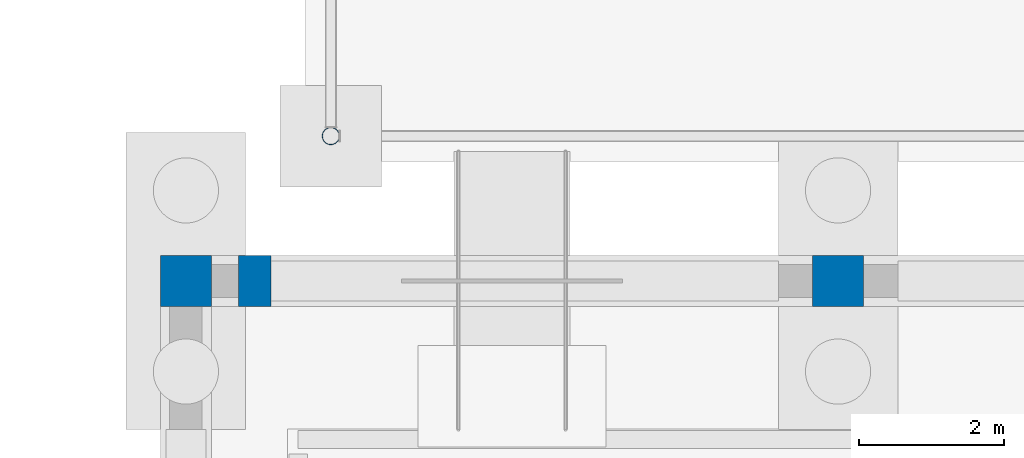
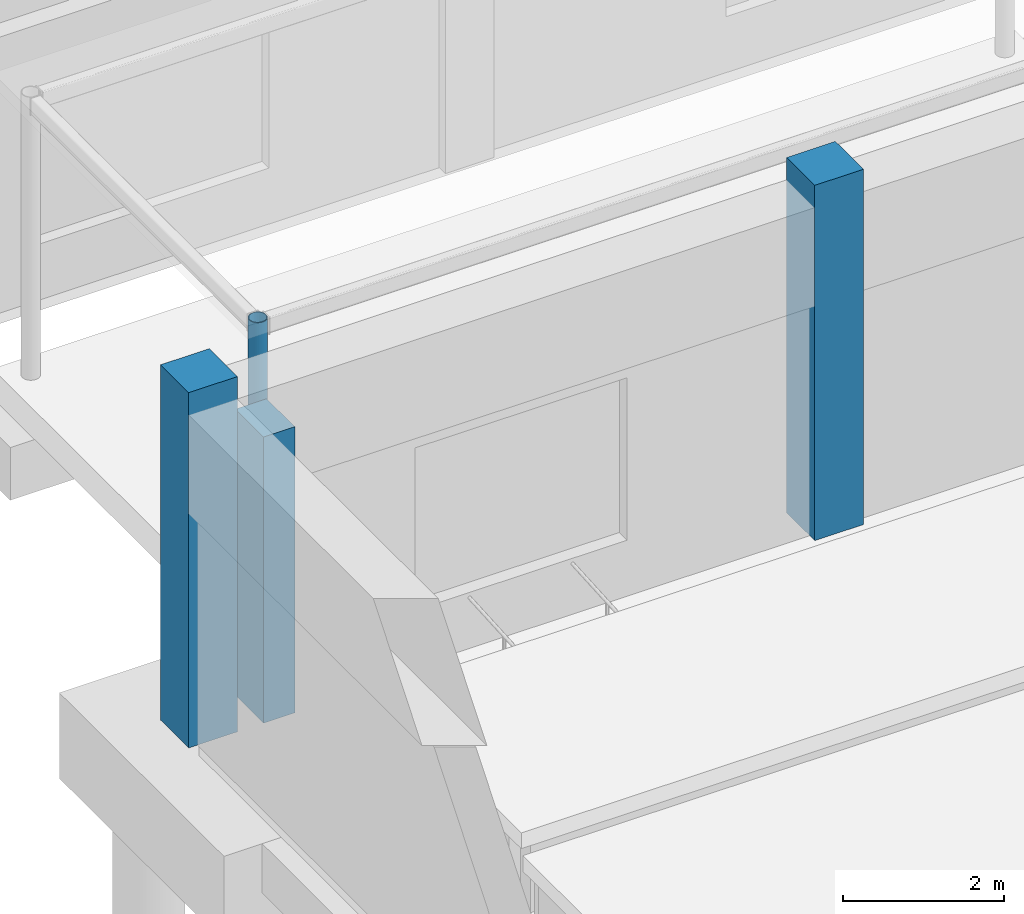
# One storey, part 7 of 76: 4 columns.
"""IFC4 building model written with IfcOpenShell, lengths in metres."""

from ifc_helpers import new_model, si_unit, direction, frame, origin, origin_2d, place, context, subcontext, project, spatial, rectangle, hollow_circle, extrude, material, material_profile, profile_set, type_object, element, save


model = new_model("IFC4")

# Units and contexts
model_context = context("Model", 3, precision=1e-05, world=origin(), true_north=direction((0.0, 1.0)))
body_context = subcontext(model_context, "Body", "Model", "MODEL_VIEW")
ifc_project = project(units=[si_unit("LENGTHUNIT", "METRE"), si_unit("AREAUNIT", "SQUARE_METRE"), si_unit("VOLUMEUNIT", "CUBIC_METRE"), si_unit("PLANEANGLEUNIT", "RADIAN"), si_unit("MASSUNIT", "GRAM", prefix="KILO")], contexts=[model_context])

# Site, building, storey
site_placement = place(None, origin())
site = spatial("IfcSite", under=ifc_project, at=site_placement, CompositionType="ELEMENT")
building_placement = place(site_placement, origin())
building = spatial("IfcBuilding", under=site, at=building_placement, Name="Bozkorgan Art Gallery", CompositionType="ELEMENT")
storey_placement = place(building_placement, origin())
storey = spatial("IfcBuildingStorey", under=building, at=storey_placement, Name="L00", CompositionType="ELEMENT", Elevation=0.0)

# Columns
ifc_material_1 = material(Name="Concrete C40/50", Category="concrete")
ifc_material_profile_1 = material_profile(ifc_material_1, rectangle(XDim=0.699951171875, YDim=0.699951171875, at=origin_2d()), Name="RC 700x700")
ifc_profile_set_1 = profile_set([ifc_material_profile_1], Name="Concrete C40/50")
column_type_1 = type_object("IfcColumnType", Name="COLUMN-C-73", PredefinedType="COLUMN", material=ifc_profile_set_1)
for number, where, z_axis, x_axis, name in (
    (1, (83.0, 29.199951171875, 0.0), (0.0, 0.0, 1.0), (1.0, 0.0, 0.0), "V3 L00 column (83.0, 29.2)"),
    (2, (92.0, 29.199951171875, 0.0), (0.0, 0.0, 1.0), (1.0, 0.0, 0.0), "V3 L00 column (92.0, 29.2)"),
):
    element("IfcColumn", number, at=place(storey_placement, frame(where, z_axis=z_axis, x_axis=x_axis)), inside=storey, type_object=column_type_1, Name=name, PredefinedType="COLUMN", context=body_context, shape_type="SweptSolid", body=[
        extrude(rectangle(XDim=0.699951171875, YDim=0.699951171875, at=origin_2d()), origin(), (0.0, 0.0, 1.0), 5.39990234375),
    ])
ifc_material_profile_2 = material_profile(ifc_material_1, rectangle(XDim=0.449951171875, YDim=0.699951171875, at=origin_2d()), Name="RC 450x700")
ifc_profile_set_2 = profile_set([ifc_material_profile_2], Name="Concrete C40/50")
column_type_2 = type_object("IfcColumnType", Name="COLUMN-PL-20", PredefinedType="PILASTER", material=ifc_profile_set_2)
column_1_placement = place(storey_placement, frame((83.949951171875, 29.199951171875, 0.0), z_axis=(0.0, 0.0, 1.0), x_axis=(1.0, 0.0, 0.0)))
element("IfcColumn", 3, at=column_1_placement, inside=storey, type_object=column_type_2, Name="V3 L00 corner masonry pilaster 3", PredefinedType="PILASTER", context=body_context, shape_type="SweptSolid", body=[
    extrude(rectangle(XDim=0.449951171875, YDim=0.699951171875, at=origin_2d()), origin(), (0.0, 0.0, 1.0), 4.35009765625),
])
ifc_material_2 = material(Name="Steel S355J2", Category="steel")
ifc_material_profile_3 = material_profile(ifc_material_2, hollow_circle(Radius=0.122314453125, WallThickness=0.010009765625, at=origin_2d()), Name="CHS 244.5x10")
ifc_profile_set_3 = profile_set([ifc_material_profile_3], Name="Steel S355J2")
column_type_3 = type_object("IfcColumnType", Name="COLUMN-WC-87", PredefinedType="COLUMN", material=ifc_profile_set_3)
column_2_placement = place(storey_placement, frame((85.0, 31.199951171875, 0.0), z_axis=(0.0, 0.0, 1.0), x_axis=(1.0, 0.0, 0.0)))
element("IfcColumn", 4, at=column_2_placement, inside=storey, type_object=column_type_3, Name="Auditorium Foyer Covered Walk column 1", PredefinedType="COLUMN", context=body_context, shape_type="SweptSolid", body=[
    extrude(hollow_circle(Radius=0.122314453125, WallThickness=0.010009765625, at=origin_2d()), origin(), (0.0, 0.0, 1.0), 4.300048828125),
])

save(model, "model.ifc")
